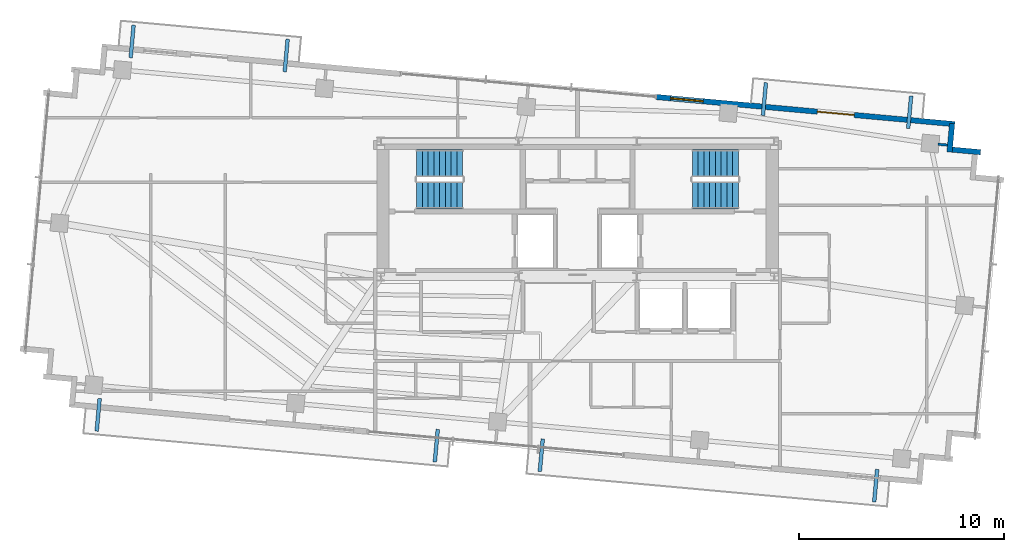
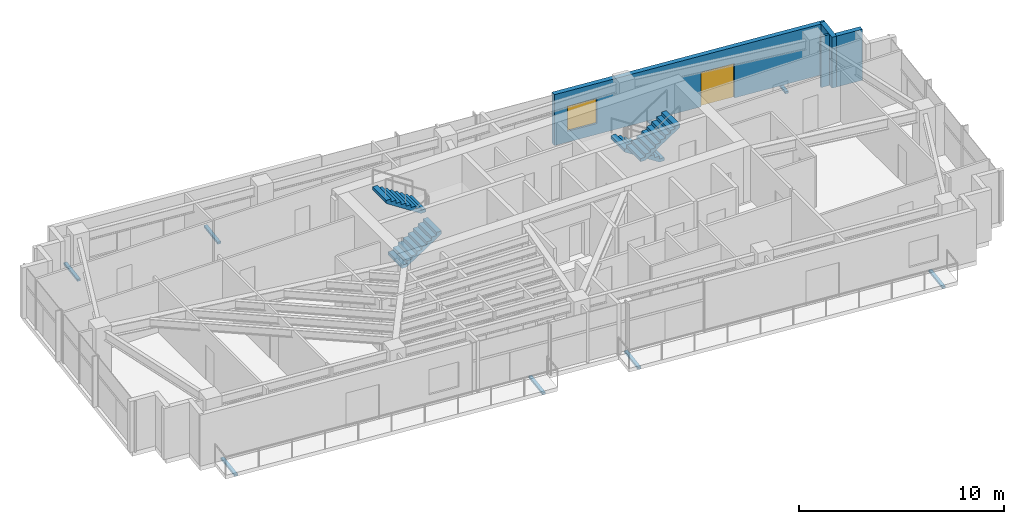
# One storey, part 19 of 22: 8 discrete accessories, 4 stair flights, 4 walls, 1 door, 1 window, 2 openings, 2 elements without a shape of their own.
"""IFC4 building model written with IfcOpenShell, lengths in metres."""

from ifc_helpers import new_model, si_unit, direction, frame, frame_2d, origin, origin_2d, place, context, subcontext, project, spatial, polyline, rectangle, outline, extrude, source, transform, mapped, material, layer, layer_set, type_object, type_shapes, element, fill, aggregate, save


model = new_model("IFC4")

# Units and contexts
model_context = context("Model", 3, precision=1e-05, world=origin(), true_north=direction((0.0, 1.0)))
body_context = subcontext(model_context, "Body", "Model", "MODEL_VIEW")
ifc_project = project(units=[si_unit("LENGTHUNIT", "METRE"), si_unit("AREAUNIT", "SQUARE_METRE"), si_unit("VOLUMEUNIT", "CUBIC_METRE"), si_unit("PLANEANGLEUNIT", "RADIAN"), si_unit("MASSUNIT", "GRAM", prefix="KILO")], contexts=[model_context])

# Site, building, storey
site_placement = place(None, origin())
site = spatial("IfcSite", under=ifc_project, at=site_placement, CompositionType="ELEMENT")
building_placement = place(site_placement, origin())
building = spatial("IfcBuilding", under=site, at=building_placement, Name="Astriad Promenade Condominiums", CompositionType="ELEMENT")
storey_placement = place(building_placement, frame((0.0, 0.0, 219.89990234375)))
storey = spatial("IfcBuildingStorey", under=building, at=storey_placement, Name="L63", CompositionType="ELEMENT", Elevation=219.89990234375)

# Wall, openings, door, window
ifc_material_1 = material(Name="Precast concrete C50/60", Category="concrete")
ifc_layer_1 = layer(ifc_material_1, 0.260009765625)
ifc_layer_set_1 = layer_set([ifc_layer_1], Name="Precast concrete C50/60")
wall_type_1 = type_object("IfcWallType", Name="WALL-EXT-TWR-260", PredefinedType="STANDARD", material=ifc_layer_set_1)
wall_1_placement = place(storey_placement, frame((39.839111328125, 26.16552734375, 0.0), z_axis=(0.0, 0.0, 1.0), x_axis=(0.995884447498, -0.090632043071, 0.0)))
wall_1 = element("IfcWall", 1, at=wall_1_placement, inside=storey, type_object=wall_type_1, Name="W-EXT-L63-N2", PredefinedType="STANDARD", context=body_context, shape_type="SweptSolid", body=[
    extrude(rectangle(XDim=14.6298828125, YDim=0.260009765625, at=frame_2d((7.31494140625, 0.0))), origin(), (0.0, 0.0, 1.0), 3.0400390625),
])
opening_1_placement = place(wall_1_placement, frame((7.89990234375, 0.0, 0.0)))
opening_1 = element("IfcOpeningElement", 2, at=opening_1_placement, cuts=wall_1, Name="Opening BD-1822-SLD", PredefinedType="OPENING", context=body_context, shape_type="SweptSolid", body=[
    extrude(rectangle(XDim=1.800048828125, YDim=2.06005859375, at=frame_2d((0.89990234375, 1.030029296875))), frame((0.0, 0.139892578125, 0.0), z_axis=(0.0, -1.0, 0.0), x_axis=(1.0, 0.0, 0.0)), (0.0, 0.0, 1.0), 0.280029296875),
])
opening_2_placement = place(wall_1_placement, frame((0.699951171875, 0.0, 0.64990234375)))
opening_2 = element("IfcOpeningElement", 3, at=opening_2_placement, cuts=wall_1, Name="Opening WIN-TWR-1620", PredefinedType="OPENING", context=body_context, shape_type="SweptSolid", body=[
    extrude(rectangle(XDim=1.60009765625, YDim=1.5, at=frame_2d((0.800048828125, 0.75))), frame((0.0, 0.139892578125, 0.0), z_axis=(0.0, -1.0, 0.0), x_axis=(1.0, 0.0, 0.0)), (0.0, 0.0, 1.0), 0.280029296875),
])
ifc_material_2 = material(Name="Thermally Broken Aluminium Sliding Balcony Door", Category="aluminium")
door_type = type_object("IfcDoorType", Name="BD-1822-SLD", OperationType="NOTDEFINED", PredefinedType="DOOR", material=ifc_material_2)
shared_shape_1 = source(origin(), body_context, "Body", "SweptSolid", [
    extrude(rectangle(XDim=1.800048828125, YDim=2.06005859375, at=frame_2d((0.89990234375, 1.030029296875))), frame((0.0, 0.02490234375, 0.0), z_axis=(0.0, -1.0, 0.0), x_axis=(1.0, 0.0, 0.0)), (0.0, 0.0, 1.0), 0.050048828125),
])
type_shapes(door_type, [shared_shape_1])
door_placement = place(opening_1_placement, origin())
door = element("IfcDoor", 4, at=door_placement, inside=storey, type_object=door_type, Name="BD-L63-NE", OperationType="SLIDING_TO_RIGHT", OverallHeight=2.06005859375, OverallWidth=1.800048828125, PredefinedType="DOOR", context=body_context, shape_type="MappedRepresentation", body=[
    mapped(shared_shape_1, transform((0.0, 0.0, 0.0), scale=1.0)),
])
fill(opening_1, door)
ifc_material_3 = material(Name="Dark Tinted Triple-Glazed Aluminium Window", Category="aluminium")
window_type = type_object("IfcWindowType", Name="WIN-TWR-1620", PartitioningType="SINGLE_PANEL", PredefinedType="WINDOW", material=ifc_material_3)
shared_shape_2 = source(origin(), body_context, "Body", "SweptSolid", [
    extrude(rectangle(XDim=1.60009765625, YDim=1.5, at=frame_2d((0.800048828125, 0.75))), frame((0.0, 0.030029296875, 0.0), z_axis=(0.0, -1.0, 0.0), x_axis=(1.0, 0.0, 0.0)), (0.0, 0.0, 1.0), 0.06005859375),
])
type_shapes(window_type, [shared_shape_2])
window_placement = place(opening_2_placement, origin())
window = element("IfcWindow", 5, at=window_placement, inside=storey, type_object=window_type, Name="WIN-L63-NE", OverallHeight=1.5, OverallWidth=1.60009765625, PartitioningType="SINGLE_PANEL", PredefinedType="WINDOW", context=body_context, shape_type="MappedRepresentation", body=[
    mapped(shared_shape_2, transform((0.0, 0.0, 0.0), scale=1.0)),
])
fill(opening_2, window)

# Walls
wall_2_placement = place(storey_placement, frame((54.28076171875, 24.866455078125, 0.0), z_axis=(0.0, 0.0, 1.0), x_axis=(-0.090661991521, -0.995881721538, 0.0)))
element("IfcWall", 6, at=wall_2_placement, inside=storey, type_object=wall_type_1, Name="W-SER-L63-09", PredefinedType="STANDARD", context=body_context, shape_type="SweptSolid", body=[
    extrude(rectangle(XDim=1.39501953125, YDim=0.260009765625, at=frame_2d((0.697509765625, 0.0))), origin(), (0.0, 0.0, 1.0), 3.0400390625),
])
wall_3_placement = place(storey_placement, frame((54.280517578125, 23.59619140625, 0.0), z_axis=(0.0, 0.0, 1.0), x_axis=(0.995883159782, -0.090646191665, 0.0)))
element("IfcWall", 7, at=wall_3_placement, inside=storey, type_object=wall_type_1, Name="W-SER-L63-10", PredefinedType="STANDARD", context=body_context, shape_type="SweptSolid", body=[
    extrude(rectangle(XDim=1.395263671875, YDim=0.260009765625, at=frame_2d((0.69775390625, 0.0))), origin(), (0.0, 0.0, 1.0), 3.0400390625),
])
ifc_material_4 = material(Name="Acoustic Metal-Stud Gypsum Partition")
ifc_layer_2 = layer(ifc_material_4, 0.1201171875)
ifc_layer_set_2 = layer_set([ifc_layer_2], Name="Acoustic Metal-Stud Gypsum Partition")
wall_type_2 = type_object("IfcWallType", Name="WALL-PART-120", PredefinedType="PARTITIONING", material=ifc_layer_set_2)
wall_4_placement = place(storey_placement, frame((53.5966796875, 23.859375, 0.0), z_axis=(0.0, 0.0, 1.0), x_axis=(0.995884462012, -0.090631883588, 0.0)))
element("IfcWall", 8, at=wall_4_placement, inside=storey, type_object=wall_type_2, Name="PT-PIL-L63-PC10-17", PredefinedType="PARTITIONING", context=body_context, shape_type="SweptSolid", body=[
    extrude(rectangle(XDim=0.4580078125, YDim=0.1201171875, at=frame_2d((0.22900390625, 0.0))), origin(), (0.0, 0.0, 1.0), 3.0400390625),
])

# Stair, stair flights
ifc_material_5 = material(Name="Concrete C50/60", Category="concrete")
stair_type = type_object("IfcStairType", Name="STR-CORE-1350", PredefinedType="HALF_TURN_STAIR", material=ifc_material_5)
stair_1_placement = place(storey_placement, origin())
stair_1 = element("IfcStair", 9, at=stair_1_placement, inside=storey, type_object=stair_type, Name="L63 Enclosed Core Exit Stair ST-1", PredefinedType="HALF_TURN_STAIR")
stair_flight_type = type_object("IfcStairFlightType", Name="SFL-CORE-1350", PredefinedType="STRAIGHT", material=ifc_material_5)
shared_shape_3 = source(origin(), body_context, "Body", "SweptSolid", [
    extrude(outline(polyline([(0.0, 0.0), (0.0, 0.183349609375), (0.280029296875, 0.183349609375), (0.280029296875, 0.36669921875), (0.56005859375, 0.36669921875), (0.56005859375, 0.550048828125), (0.840087890625, 0.550048828125), (0.840087890625, 0.7333984375), (1.1201171875, 0.7333984375), (1.1201171875, 0.916748046875), (1.39990234375, 0.916748046875), (1.39990234375, 1.10009765625), (1.679931640625, 1.10009765625), (1.679931640625, 1.283447265625), (1.9599609375, 1.283447265625), (1.9599609375, 1.466552734375), (2.239990234375, 1.466552734375), (2.239990234375, 1.64990234375), (2.239990234375, 1.28759765625), (0.273681640625, 0.0), (0.0, 0.0)])), frame((0.0, 0.675048828125, 0.0), z_axis=(0.0, -1.0, 0.0), x_axis=(1.0, 0.0, 0.0)), (0.0, 0.0, 1.0), 1.35009765625),
])
type_shapes(stair_flight_type, [shared_shape_3])
stair_flight_1_placement = place(storey_placement, frame((28.14990234375, 21.375, 0.0), z_axis=(0.0, 0.0, 1.0), x_axis=(1.0, 0.0, 0.0)))
stair_flight_1 = element("IfcStairFlight", 10, at=stair_flight_1_placement, type_object=stair_flight_type, Name="ST-1 flight 1", NumberOfRisers=9, NumberOfTreads=8, PredefinedType="STRAIGHT", RiserHeight=0.183333333, TreadLength=0.28, context=body_context, shape_type="MappedRepresentation", body=[
    mapped(shared_shape_3, transform((0.0, 0.0, 0.0), scale=1.0)),
])
stair_flight_2_placement = place(storey_placement, frame((30.389892578125, 22.925048828125, 1.650146484375), z_axis=(0.0, 0.0, 1.0), x_axis=(-1.0, 0.0, 0.0)))
stair_flight_2 = element("IfcStairFlight", 11, at=stair_flight_2_placement, type_object=stair_flight_type, Name="ST-1 flight 2", NumberOfRisers=9, NumberOfTreads=8, PredefinedType="STRAIGHT", RiserHeight=0.183333333, TreadLength=0.28, context=body_context, shape_type="MappedRepresentation", body=[
    mapped(shared_shape_3, transform((0.0, 0.0, 0.0), scale=1.0)),
])
aggregate(stair_1, [stair_flight_1, stair_flight_2])

stair_2_placement = place(storey_placement, origin())
stair_2 = element("IfcStair", 12, at=stair_2_placement, inside=storey, type_object=stair_type, Name="L63 Enclosed Core Exit Stair ST-2", PredefinedType="HALF_TURN_STAIR")
stair_flight_3_placement = place(storey_placement, frame((43.85009765625, 22.925048828125, 0.0), z_axis=(0.0, 0.0, 1.0), x_axis=(-1.0, 0.0, 0.0)))
stair_flight_3 = element("IfcStairFlight", 13, at=stair_flight_3_placement, type_object=stair_flight_type, Name="ST-2 flight 1", NumberOfRisers=9, NumberOfTreads=8, PredefinedType="STRAIGHT", RiserHeight=0.183333333, TreadLength=0.28, context=body_context, shape_type="MappedRepresentation", body=[
    mapped(shared_shape_3, transform((0.0, 0.0, 0.0), scale=1.0)),
])
stair_flight_4_placement = place(storey_placement, frame((41.610107421875, 21.375, 1.650146484375), z_axis=(0.0, 0.0, 1.0), x_axis=(1.0, 0.0, 0.0)))
stair_flight_4 = element("IfcStairFlight", 14, at=stair_flight_4_placement, type_object=stair_flight_type, Name="ST-2 flight 2", NumberOfRisers=9, NumberOfTreads=8, PredefinedType="STRAIGHT", RiserHeight=0.183333333, TreadLength=0.28, context=body_context, shape_type="MappedRepresentation", body=[
    mapped(shared_shape_3, transform((0.0, 0.0, 0.0), scale=1.0)),
])
aggregate(stair_2, [stair_flight_3, stair_flight_4])

# Discrete accessories
ifc_material_6 = material(Name="Steel ASTM A572 Grade 50", Category="steel")
discrete_accessory_type = type_object("IfcDiscreteAccessoryType", Name="STEEL BALCONY OUTRIGGER BRACKET", PredefinedType="BRACKET", material=ifc_material_6)
shared_shape_4 = source(origin(), body_context, "Body", "SweptSolid", [
    extrude(rectangle(XDim=1.60009765625, YDim=0.179931640625, at=origin_2d()), origin(), (0.0, 0.0, 1.0), 0.1220703125),
])
type_shapes(discrete_accessory_type, [shared_shape_4])
for number, where, z_axis, x_axis, name in (
    (15, (12.601806640625, 10.650390625, -0.33984375), (0.0, 0.0, 1.0), (-0.090632580198, -0.995884398616, 0.0), "Balcony Outrigger Bracket BAL-L63-SW-A"),
    (16, (29.105712890625, 9.1484375, -0.33984375), (0.0, 0.0, 1.0), (-0.090632580198, -0.995884398616, 0.0), "Balcony Outrigger Bracket BAL-L63-SW-B"),
    (17, (34.2294921875, 8.68212890625, -0.33984375), (0.0, 0.0, 1.0), (-0.090632580198, -0.995884398616, 0.0), "Balcony Outrigger Bracket BAL-L63-SE-A"),
    (18, (50.55078125, 7.19677734375, -0.33984375), (0.0, 0.0, 1.0), (-0.090632580198, -0.995884398616, 0.0), "Balcony Outrigger Bracket BAL-L63-SE-B"),
    (19, (14.26025390625, 28.875, -0.33984375), (0.0, 0.0, 1.0), (0.090632580198, 0.995884398616, 0.0), "Balcony Outrigger Bracket BAL-L63-NW-A"),
    (20, (21.7783203125, 28.19091796875, -0.33984375), (0.0, 0.0, 1.0), (0.090632580198, 0.995884398616, 0.0), "Balcony Outrigger Bracket BAL-L63-NW-B"),
    (21, (45.121826171875, 26.06640625, -0.33984375), (0.0, 0.0, 1.0), (0.090632580198, 0.995884398616, 0.0), "Balcony Outrigger Bracket BAL-L63-NE-A"),
    (22, (52.20947265625, 25.42138671875, -0.33984375), (0.0, 0.0, 1.0), (0.090632580198, 0.995884398616, 0.0), "Balcony Outrigger Bracket BAL-L63-NE-B"),
):
    element("IfcDiscreteAccessory", number, at=place(storey_placement, frame(where, z_axis=z_axis, x_axis=x_axis)), inside=storey, type_object=discrete_accessory_type, Name=name, PredefinedType="BRACKET", context=body_context, shape_type="MappedRepresentation", body=[
        mapped(shared_shape_4, transform((0.0, 0.0, 0.0), scale=1.0)),
    ])

save(model, "model.ifc")
